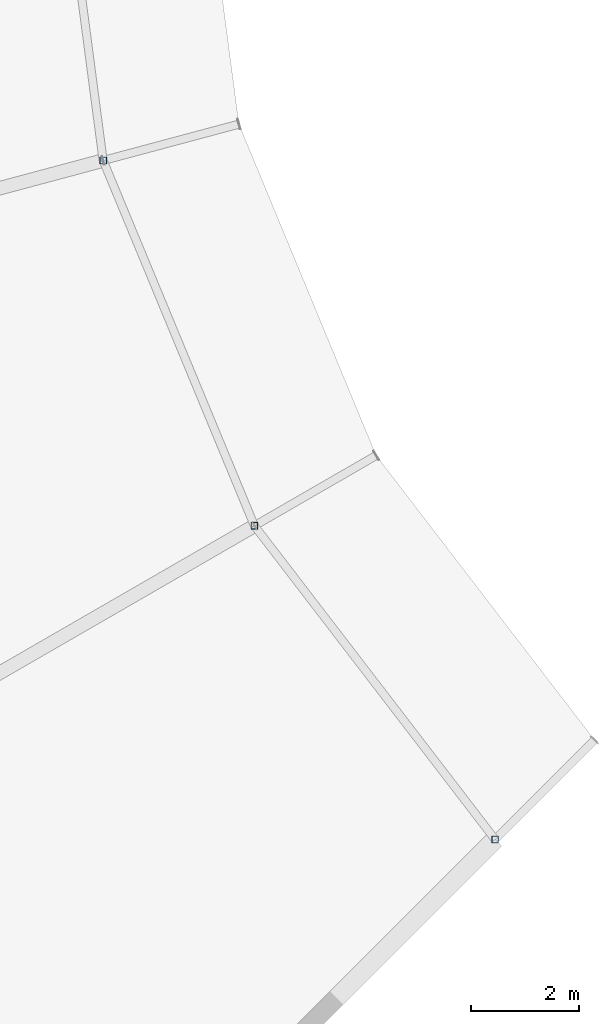
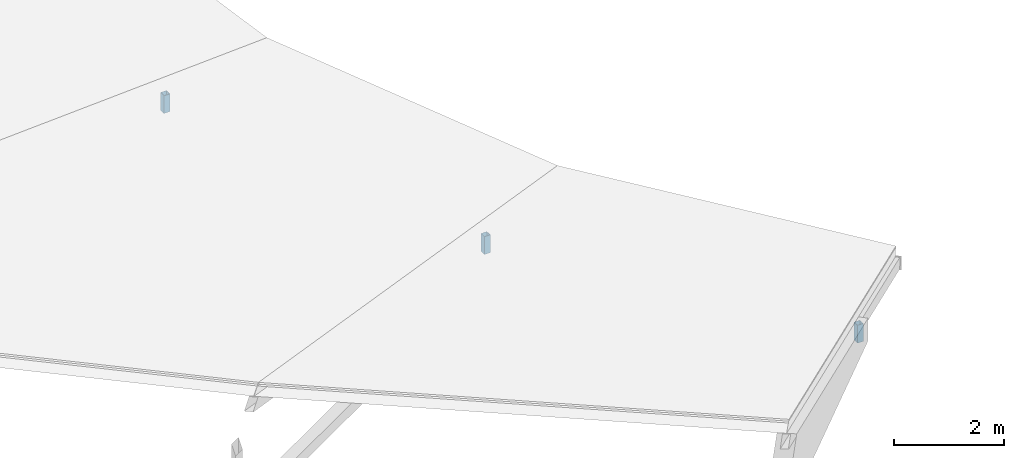
# One storey, part 32 of 70: 3 members.
"""IFC4 building model written with IfcOpenShell, lengths in metres."""

from ifc_helpers import new_model, si_unit, direction, frame, origin, origin_2d, place, context, subcontext, project, spatial, hollow_rectangle, extrude, material, material_profile, profile_set, type_object, element, save


model = new_model("IFC4")

# Units and contexts
model_context = context("Model", 3, precision=1e-05, world=origin(), true_north=direction((0.0, 1.0)))
body_context = subcontext(model_context, "Body", "Model", "MODEL_VIEW")
ifc_project = project(units=[si_unit("LENGTHUNIT", "METRE"), si_unit("AREAUNIT", "SQUARE_METRE"), si_unit("VOLUMEUNIT", "CUBIC_METRE"), si_unit("PLANEANGLEUNIT", "RADIAN"), si_unit("MASSUNIT", "GRAM", prefix="KILO")], contexts=[model_context])

# Site, building, storey
site_placement = place(None, origin())
site = spatial("IfcSite", under=ifc_project, at=site_placement, CompositionType="ELEMENT")
building_placement = place(site_placement, origin())
building = spatial("IfcBuilding", under=site, at=building_placement, Name="Vondelvale Polytechnic", CompositionType="ELEMENT")
storey_placement = place(building_placement, frame((0.0, 0.0, 22.199951171875)))
storey = spatial("IfcBuildingStorey", under=building, at=storey_placement, Name="L05", CompositionType="ELEMENT", Elevation=22.199951171875)

# Members
ifc_material = material(Name="Steel C350L0 (fy = 350 MPa)", Category="steel")
ifc_material_profile = material_profile(ifc_material, hollow_rectangle(XDim=0.125, YDim=0.125, WallThickness=0.006103515625, at=origin_2d()), Name="125x125x6.0SHS")
ifc_profile_set = profile_set([ifc_material_profile], Name="Steel C350L0 (fy = 350 MPa)")
member_type = type_object("IfcMemberType", Name="ROOF TRUSS POST 125SHS", PredefinedType="POST", material=ifc_profile_set)
for number, where, z_axis, x_axis, name in (
    (1, (74.9541015625, 64.753173828125, 0.0), (0.0, 0.0, 1.0), (1.0, 0.0, 0.0), "Ring inner eave post 13"),
    (2, (77.751220703125, 58.0, 0.0), (0.0, 0.0, 1.0), (1.0, 0.0, 0.0), "Ring inner eave post 14"),
    (3, (82.200927734375, 52.200927734375, 0.0), (0.0, 0.0, 1.0), (1.0, 0.0, 0.0), "Ring step inner roof post 14"),
):
    element("IfcMember", number, at=place(storey_placement, frame(where, z_axis=z_axis, x_axis=x_axis)), inside=storey, type_object=member_type, Name=name, PredefinedType="POST", context=body_context, shape_type="SweptSolid", body=[
        extrude(hollow_rectangle(XDim=0.125, YDim=0.125, WallThickness=0.006103515625, at=origin_2d()), origin(), (0.0, 0.0, 1.0), 0.3916015625),
    ])

save(model, "model.ifc")
